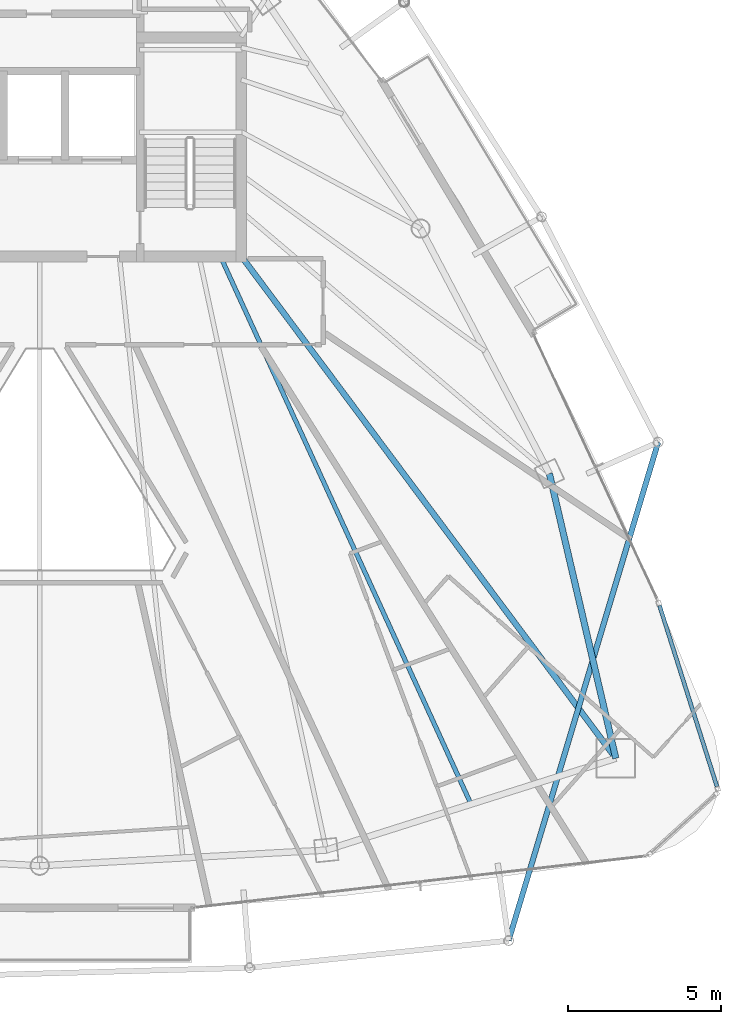
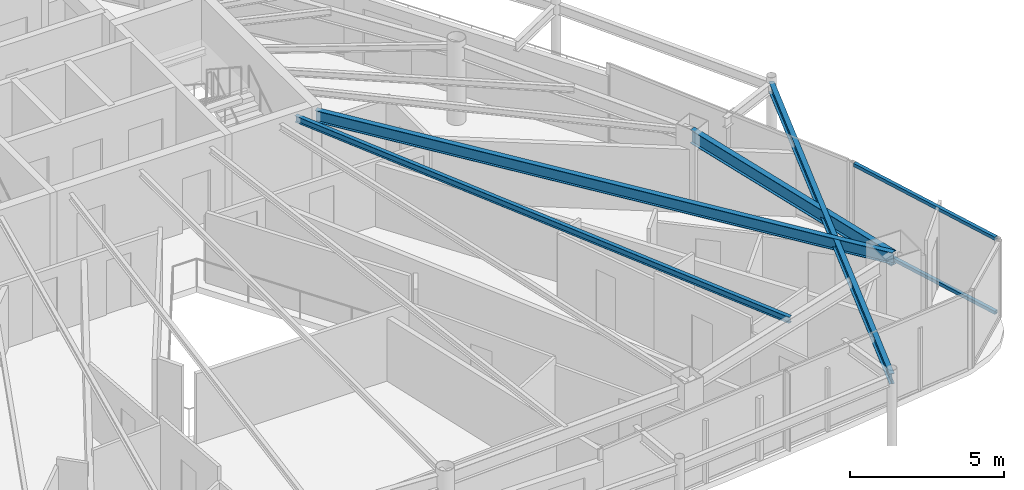
# One storey, part 15 of 29: 4 beams, 2 members, 1 element without a shape of its own.
"""IFC4 building model written with IfcOpenShell, lengths in metres."""

from ifc_helpers import new_model, si_unit, direction, frame, origin, origin_2d, place, context, subcontext, project, spatial, hollow_rectangle, i_section, extrude, material, layer, layer_set, material_profile, profile_set, type_object, element, aggregate, save


model = new_model("IFC4")

# Units and contexts
model_context = context("Model", 3, precision=1e-05, world=origin(), true_north=direction((0.0, 1.0)))
body_context = subcontext(model_context, "Body", "Model", "MODEL_VIEW")
ifc_project = project(units=[si_unit("LENGTHUNIT", "METRE"), si_unit("AREAUNIT", "SQUARE_METRE"), si_unit("VOLUMEUNIT", "CUBIC_METRE"), si_unit("PLANEANGLEUNIT", "RADIAN"), si_unit("MASSUNIT", "GRAM", prefix="KILO")], contexts=[model_context])

# Site, building, storey
site_placement = place(None, origin())
site = spatial("IfcSite", under=ifc_project, at=site_placement, CompositionType="ELEMENT")
building_placement = place(site_placement, origin())
building = spatial("IfcBuilding", under=site, at=building_placement, Name="Orvanel Arch Residences", CompositionType="ELEMENT")
storey_placement = place(building_placement, frame((0.0, 0.0, 250.25)))
storey = spatial("IfcBuildingStorey", under=building, at=storey_placement, Name="L71", CompositionType="ELEMENT", Elevation=250.25)

# Beams
ifc_material_1 = material(Name="Structural steel AS/NZS 3679.1 Grade 300 (300 MPa)", Category="steel")
ifc_material_profile_1 = material_profile(ifc_material_1, i_section(OverallWidth=0.19091796875, OverallDepth=0.4599609375, WebThickness=0.010009765625, FlangeThickness=0.01611328125, at=origin_2d()), Name="460UB82.1")
ifc_profile_set_1 = profile_set([ifc_material_profile_1], Name="Structural steel AS/NZS 3679.1 Grade 300 (300 MPa)")
beam_type_1 = type_object("IfcBeamType", Name="BG-460UB", PredefinedType="BEAM", material=ifc_profile_set_1)
beam_1_placement = place(storey_placement, frame((39.625, 26.675048828125, 2.830078125), z_axis=(0.597893733742, -0.801575375839, 0.0), x_axis=(0.801575375839, 0.597893733742, 0.0)))
element("IfcBeam", 1, at=beam_1_placement, inside=storey, type_object=beam_type_1, Name="L71 South-East Radial Girder", PredefinedType="BEAM", context=body_context, shape_type="SweptSolid", body=[
    extrude(i_section(OverallWidth=0.19091796875, OverallDepth=0.4599609375, WebThickness=0.010009765625, FlangeThickness=0.01611328125, at=origin_2d()), origin(), (0.0, 0.0, 1.0), 20.36474609375),
])
ifc_material_profile_2 = material_profile(ifc_material_1, i_section(OverallWidth=0.14599609375, OverallDepth=0.251953125, WebThickness=0.006103515625, FlangeThickness=0.008544921875, at=origin_2d()), Name="250UB31.4")
ifc_profile_set_2 = profile_set([ifc_material_profile_2], Name="Structural steel AS/NZS 3679.1 Grade 300 (300 MPa)")
beam_type_2 = type_object("IfcBeamType", Name="BJ-250UB", PredefinedType="JOIST", material=ifc_profile_set_2)
beam_2_placement = place(storey_placement, frame((38.89990234375, 26.72509765625, 2.93408203125), z_axis=(0.416009574066, -0.909360233508, 0.0), x_axis=(0.909360233508, 0.416009574066, 0.0)))
element("IfcBeam", 2, at=beam_2_placement, inside=storey, type_object=beam_type_2, Name="L71 JADD2 Wing Floor Joist", PredefinedType="JOIST", context=body_context, shape_type="SweptSolid", body=[
    extrude(i_section(OverallWidth=0.14599609375, OverallDepth=0.251953125, WebThickness=0.006103515625, FlangeThickness=0.008544921875, at=origin_2d()), origin(), (0.0, 0.0, 1.0), 19.653564453125),
])
ifc_material_profile_3 = material_profile(ifc_material_1, i_section(OverallWidth=0.177978515625, OverallDepth=0.406005859375, WebThickness=0.0078125, FlangeThickness=0.0126953125, at=origin_2d()), Name="410UB59.7")
ifc_profile_set_3 = profile_set([ifc_material_profile_3], Name="Structural steel AS/NZS 3679.1 Grade 300 (300 MPa)")
beam_type_3 = type_object("IfcBeamType", Name="OB-410UB-EXT", PredefinedType="SPANDREL", material=ifc_profile_set_3)
beam_3_placement = place(storey_placement, frame((48.302978515625, 4.402099609375, 2.85693359375), z_axis=(0.287420424458, 0.957804520559, 0.0), x_axis=(-0.957804520559, 0.287420424458, 0.0)))
element("IfcBeam", 3, at=beam_3_placement, inside=storey, type_object=beam_type_3, Name="L71 Outer Perimeter Floor Ring Beam 08", PredefinedType="SPANDREL", context=body_context, shape_type="SweptSolid", body=[
    extrude(i_section(OverallWidth=0.177978515625, OverallDepth=0.406005859375, WebThickness=0.0078125, FlangeThickness=0.0126953125, at=origin_2d()), origin(), (0.0, 0.0, 1.0), 16.982421875),
])
ifc_material_profile_4 = material_profile(ifc_material_1, i_section(OverallWidth=0.208984375, OverallDepth=0.532958984375, WebThickness=0.01025390625, FlangeThickness=0.015625, at=origin_2d()), Name="530UB92.4")
ifc_profile_set_4 = profile_set([ifc_material_profile_4], Name="Structural steel AS/NZS 3679.1 Grade 300 (300 MPa)")
beam_type_4 = type_object("IfcBeamType", Name="SP-530UB", PredefinedType="SPANDREL", material=ifc_profile_set_4)
beam_4_placement = place(storey_placement, frame((51.801025390625, 10.35107421875, 2.79296875), z_axis=(-0.227236087167, 0.973839699688, 0.0), x_axis=(-0.973839699688, -0.227236087167, 0.0)))
element("IfcBeam", 4, at=beam_4_placement, inside=storey, type_object=beam_type_4, Name="L71 Perimeter Spandrel Beam 06", PredefinedType="SPANDREL", context=body_context, shape_type="SweptSolid", body=[
    extrude(i_section(OverallWidth=0.208984375, OverallDepth=0.532958984375, WebThickness=0.01025390625, FlangeThickness=0.015625, at=origin_2d()), origin(), (0.0, 0.0, 1.0), 9.54052734375),
])

# Curtain wall, members
ifc_material_2 = material(Name="Bronze-anodised aluminium AA6063-T6", Category="aluminium")
ifc_layer = layer(ifc_material_2, 0.18994140625)
ifc_layer_set = layer_set([ifc_layer], Name="Bronze-anodised aluminium AA6063-T6")
curtain_wall_type = type_object("IfcCurtainWallType", Name="CW5-CRN-SYS", PredefinedType="NOTDEFINED", material=ifc_layer_set)
curtain_wall_placement = place(storey_placement, origin())
curtain_wall = element("IfcCurtainWall", 5, at=curtain_wall_placement, inside=storey, type_object=curtain_wall_type, Name="L71 CW5-CRN-SYS Unitised Curtain Wall", PredefinedType="NOTDEFINED")
ifc_material_profile_5 = material_profile(ifc_material_2, hollow_rectangle(XDim=0.1298828125, YDim=0.1298828125, WallThickness=0.00439453125, at=origin_2d()), Name="ALU130x130x4.5")
ifc_profile_set_5 = profile_set([ifc_material_profile_5], Name="Bronze-anodised aluminium AA6063-T6")
member_type = type_object("IfcMemberType", Name="TRN-130x130", PredefinedType="USERDEFINED", material=ifc_profile_set_5)
member_1_placement = place(storey_placement, frame((55.103515625, 9.425048828125, 0.06494140625), z_axis=(-0.302687439533, 0.953089877162, 0.0), x_axis=(-0.953089877162, -0.302687439533, 0.0)))
member_1 = element("IfcMember", 6, at=member_1_placement, type_object=member_type, Name="CW-S5 transom 1.1", ObjectType="TRANSOM", PredefinedType="USERDEFINED", context=body_context, shape_type="SweptSolid", body=[
    extrude(hollow_rectangle(XDim=0.1298828125, YDim=0.1298828125, WallThickness=0.00439453125, at=origin_2d()), origin(), (0.0, 0.0, 1.0), 6.208251953125),
])
member_2_placement = place(storey_placement, frame((55.103515625, 9.425048828125, 2.9951171875), z_axis=(-0.302687439533, 0.953089877162, 0.0), x_axis=(-0.953089877162, -0.302687439533, 0.0)))
member_2 = element("IfcMember", 7, at=member_2_placement, type_object=member_type, Name="CW-S5 transom 1.2", ObjectType="TRANSOM", PredefinedType="USERDEFINED", context=body_context, shape_type="SweptSolid", body=[
    extrude(hollow_rectangle(XDim=0.1298828125, YDim=0.1298828125, WallThickness=0.00439453125, at=origin_2d()), origin(), (0.0, 0.0, 1.0), 6.208251953125),
])
aggregate(curtain_wall, [member_1, member_2])

save(model, "model.ifc")
